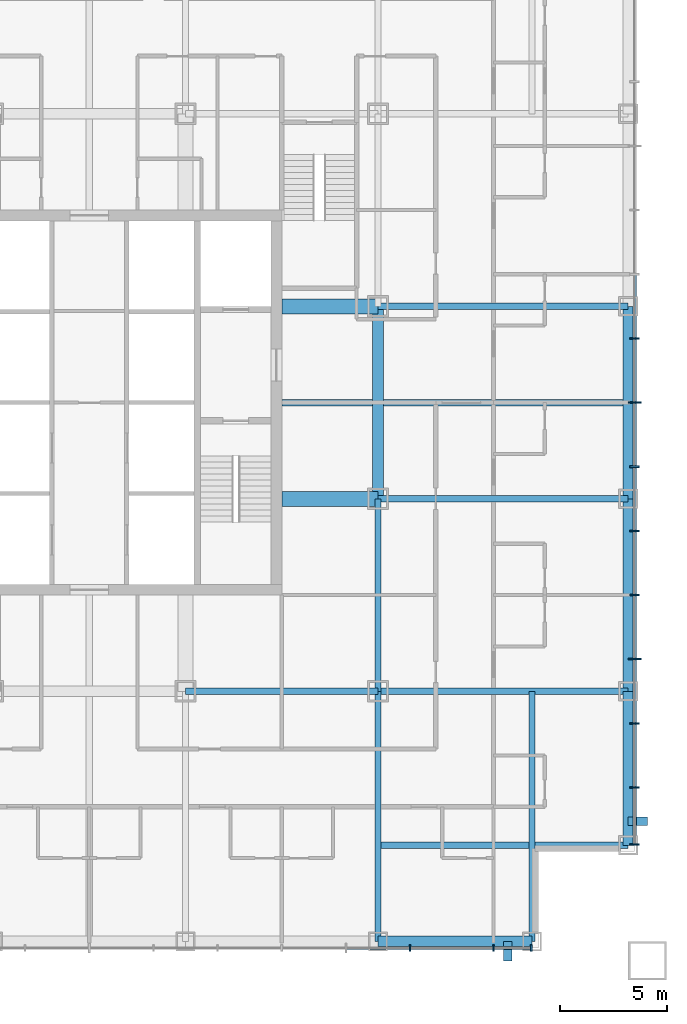
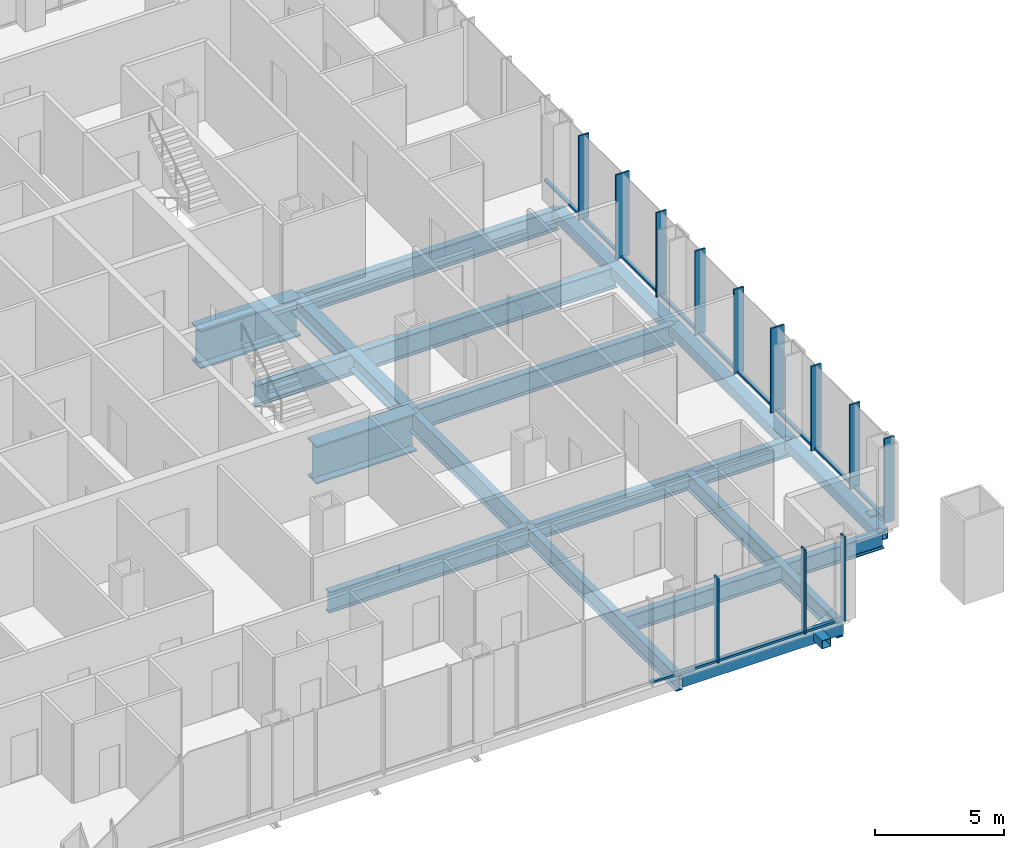
# One storey, part 3 of 12: 26 members, 16 beams, 2 elements without a shape of their own.
"""IFC4 building model written with IfcOpenShell, lengths in metres."""

from ifc_helpers import new_model, si_unit, direction, frame, origin, origin_2d, place, context, subcontext, project, spatial, rectangle, hollow_rectangle, i_section, extrude, material, layer, layer_set, material_profile, profile_set, type_object, element, aggregate, save


model = new_model("IFC4")

# Units and contexts
model_context = context("Model", 3, precision=1e-05, world=origin(), true_north=direction((0.0, 1.0)))
body_context = subcontext(model_context, "Body", "Model", "MODEL_VIEW")
ifc_project = project(units=[si_unit("LENGTHUNIT", "METRE"), si_unit("AREAUNIT", "SQUARE_METRE"), si_unit("VOLUMEUNIT", "CUBIC_METRE"), si_unit("PLANEANGLEUNIT", "RADIAN"), si_unit("MASSUNIT", "GRAM", prefix="KILO")], contexts=[model_context])

# Site, building, storey
site_placement = place(None, origin())
site = spatial("IfcSite", under=ifc_project, at=site_placement, CompositionType="ELEMENT")
building_placement = place(site_placement, origin())
building = spatial("IfcBuilding", under=site, at=building_placement, Name="Malebo Sky Hospital", CompositionType="ELEMENT")
storey_placement = place(building_placement, frame((0.0, 0.0, 59.0)))
storey = spatial("IfcBuildingStorey", under=building, at=storey_placement, Name="L13", CompositionType="ELEMENT", Elevation=59.0)

# Curtain wall, members
ifc_material_1 = material(Name="Anodised aluminium, natural silver", Category="aluminium")
ifc_layer_1 = layer(ifc_material_1, 0.25)
ifc_layer_set_1 = layer_set([ifc_layer_1], Name="WARD CURTAIN WALL NORTH AND SOUTH")
curtain_wall_type_1 = type_object("IfcCurtainWallType", Name="WARD CURTAIN WALL NORTH AND SOUTH", PredefinedType="NOTDEFINED", material=ifc_layer_set_1)
curtain_wall_1_placement = place(storey_placement, origin())
curtain_wall_1 = element("IfcCurtainWall", 1, at=curtain_wall_1_placement, inside=storey, type_object=curtain_wall_type_1, Name="NS curtain wall S", PredefinedType="NOTDEFINED")
ifc_material_profile_1 = material_profile(ifc_material_1, rectangle(XDim=0.14990234375, YDim=0.10009765625, at=origin_2d()), Name="ALUMINIUM TRANSOM 150x100")
ifc_profile_set_1 = profile_set([ifc_material_profile_1], Name="Anodised aluminium, natural silver")
member_type_1 = type_object("IfcMemberType", Name="ALUMINIUM TRANSOM 150x100", PredefinedType="USERDEFINED", material=ifc_profile_set_1)
member_1_placement = place(storey_placement, frame((80.625, 36.5, 0.050048828125), z_axis=(-1.0, 0.0, 0.0), x_axis=(0.0, -1.0, 0.0)))
member_1 = element("IfcMember", 2, at=member_1_placement, type_object=member_type_1, Name="Transom 1", ObjectType="TRANSOM", PredefinedType="USERDEFINED", context=body_context, shape_type="SweptSolid", body=[
    extrude(rectangle(XDim=0.14990234375, YDim=0.10009765625, at=origin_2d()), origin(), (0.0, 0.0, 1.0), 1.6875),
])
member_2_placement = place(storey_placement, frame((78.862548828125, 36.5, 0.050048828125), z_axis=(-1.0, 0.0, 0.0), x_axis=(0.0, -1.0, 0.0)))
member_2 = element("IfcMember", 3, at=member_2_placement, type_object=member_type_1, Name="Transom 2", ObjectType="TRANSOM", PredefinedType="USERDEFINED", context=body_context, shape_type="SweptSolid", body=[
    extrude(rectangle(XDim=0.14990234375, YDim=0.10009765625, at=origin_2d()), origin(), (0.0, 0.0, 1.0), 3.824951171875),
])
member_3_placement = place(storey_placement, frame((74.96240234375, 36.5, 0.050048828125), z_axis=(-1.0, 0.0, 0.0), x_axis=(0.0, -1.0, 0.0)))
member_3 = element("IfcMember", 4, at=member_3_placement, type_object=member_type_1, Name="Transom 3", ObjectType="TRANSOM", PredefinedType="USERDEFINED", context=body_context, shape_type="SweptSolid", body=[
    extrude(rectangle(XDim=0.14990234375, YDim=0.10009765625, at=origin_2d()), origin(), (0.0, 0.0, 1.0), 2.9248046875),
])

ifc_layer_2 = layer(ifc_material_1, 0.25)
ifc_layer_set_2 = layer_set([ifc_layer_2], Name="WARD CURTAIN WALL EAST AND WEST")
curtain_wall_type_2 = type_object("IfcCurtainWallType", Name="WARD CURTAIN WALL EAST AND WEST", PredefinedType="NOTDEFINED", material=ifc_layer_set_2)
curtain_wall_2_placement = place(storey_placement, origin())
curtain_wall_2 = element("IfcCurtainWall", 5, at=curtain_wall_2_placement, inside=storey, type_object=curtain_wall_type_2, Name="EW curtain wall E", PredefinedType="NOTDEFINED")
member_4_placement = place(storey_placement, frame((85.5, 67.96240234375, 0.050048828125), z_axis=(0.0, -1.0, 0.0), x_axis=(1.0, 0.0, 0.0)))
member_4 = element("IfcMember", 6, at=member_4_placement, type_object=member_type_1, Name="Transom 6", ObjectType="TRANSOM", PredefinedType="USERDEFINED", context=body_context, shape_type="SweptSolid", body=[
    extrude(rectangle(XDim=0.14990234375, YDim=0.10009765625, at=origin_2d()), origin(), (0.0, 0.0, 1.0), 2.9248046875),
])
member_5_placement = place(storey_placement, frame((85.5, 64.96240234375, 0.050048828125), z_axis=(0.0, -1.0, 0.0), x_axis=(1.0, 0.0, 0.0)))
member_5 = element("IfcMember", 7, at=member_5_placement, type_object=member_type_1, Name="Transom 7", ObjectType="TRANSOM", PredefinedType="USERDEFINED", context=body_context, shape_type="SweptSolid", body=[
    extrude(rectangle(XDim=0.14990234375, YDim=0.10009765625, at=origin_2d()), origin(), (0.0, 0.0, 1.0), 2.9248046875),
])
member_6_placement = place(storey_placement, frame((85.5, 61.96240234375, 0.050048828125), z_axis=(0.0, -1.0, 0.0), x_axis=(1.0, 0.0, 0.0)))
member_6 = element("IfcMember", 8, at=member_6_placement, type_object=member_type_1, Name="Transom 8", ObjectType="TRANSOM", PredefinedType="USERDEFINED", context=body_context, shape_type="SweptSolid", body=[
    extrude(rectangle(XDim=0.14990234375, YDim=0.10009765625, at=origin_2d()), origin(), (0.0, 0.0, 1.0), 2.9248046875),
])
member_7_placement = place(storey_placement, frame((85.5, 58.96240234375, 0.050048828125), z_axis=(0.0, -1.0, 0.0), x_axis=(1.0, 0.0, 0.0)))
member_7 = element("IfcMember", 9, at=member_7_placement, type_object=member_type_1, Name="Transom 9", ObjectType="TRANSOM", PredefinedType="USERDEFINED", context=body_context, shape_type="SweptSolid", body=[
    extrude(rectangle(XDim=0.14990234375, YDim=0.10009765625, at=origin_2d()), origin(), (0.0, 0.0, 1.0), 2.9248046875),
])
member_8_placement = place(storey_placement, frame((85.5, 55.96240234375, 0.050048828125), z_axis=(0.0, -1.0, 0.0), x_axis=(1.0, 0.0, 0.0)))
member_8 = element("IfcMember", 10, at=member_8_placement, type_object=member_type_1, Name="Transom 10", ObjectType="TRANSOM", PredefinedType="USERDEFINED", context=body_context, shape_type="SweptSolid", body=[
    extrude(rectangle(XDim=0.14990234375, YDim=0.10009765625, at=origin_2d()), origin(), (0.0, 0.0, 1.0), 2.9248046875),
])
member_9_placement = place(storey_placement, frame((85.5, 52.96240234375, 0.050048828125), z_axis=(0.0, -1.0, 0.0), x_axis=(1.0, 0.0, 0.0)))
member_9 = element("IfcMember", 11, at=member_9_placement, type_object=member_type_1, Name="Transom 11", ObjectType="TRANSOM", PredefinedType="USERDEFINED", context=body_context, shape_type="SweptSolid", body=[
    extrude(rectangle(XDim=0.14990234375, YDim=0.10009765625, at=origin_2d()), origin(), (0.0, 0.0, 1.0), 2.9248046875),
])
member_10_placement = place(storey_placement, frame((85.5, 49.96240234375, 0.050048828125), z_axis=(0.0, -1.0, 0.0), x_axis=(1.0, 0.0, 0.0)))
member_10 = element("IfcMember", 12, at=member_10_placement, type_object=member_type_1, Name="Transom 12", ObjectType="TRANSOM", PredefinedType="USERDEFINED", context=body_context, shape_type="SweptSolid", body=[
    extrude(rectangle(XDim=0.14990234375, YDim=0.10009765625, at=origin_2d()), origin(), (0.0, 0.0, 1.0), 2.9248046875),
])
member_11_placement = place(storey_placement, frame((85.5, 46.96240234375, 0.050048828125), z_axis=(0.0, -1.0, 0.0), x_axis=(1.0, 0.0, 0.0)))
member_11 = element("IfcMember", 13, at=member_11_placement, type_object=member_type_1, Name="Transom 13", ObjectType="TRANSOM", PredefinedType="USERDEFINED", context=body_context, shape_type="SweptSolid", body=[
    extrude(rectangle(XDim=0.14990234375, YDim=0.10009765625, at=origin_2d()), origin(), (0.0, 0.0, 1.0), 2.9248046875),
])
member_12_placement = place(storey_placement, frame((85.5, 43.96240234375, 0.050048828125), z_axis=(0.0, -1.0, 0.0), x_axis=(1.0, 0.0, 0.0)))
member_12 = element("IfcMember", 14, at=member_12_placement, type_object=member_type_1, Name="Transom 14", ObjectType="TRANSOM", PredefinedType="USERDEFINED", context=body_context, shape_type="SweptSolid", body=[
    extrude(rectangle(XDim=0.14990234375, YDim=0.10009765625, at=origin_2d()), origin(), (0.0, 0.0, 1.0), 2.58740234375),
])

# Members
ifc_material_2 = material(Name="Steel S355", Category="steel")
ifc_material_profile_2 = material_profile(ifc_material_2, hollow_rectangle(XDim=0.39990234375, YDim=0.39990234375, WallThickness=0.02001953125, at=origin_2d()), Name="SHS 400x20")
ifc_profile_set_2 = profile_set([ifc_material_profile_2], Name="Steel S355")
member_type_2 = type_object("IfcMemberType", Name="BRACE STRUT SHS 400x20", PredefinedType="STRUT", material=ifc_profile_set_2)
for number, where, z_axis, x_axis, name in (
    (15, (79.574951171875, 35.89990234375, -0.39990234375), (0.0, 1.0, 0.0), (-1.0, 0.0, 0.0), "Brace strut AS1 L13"),
    (16, (86.10009765625, 42.425048828125, -0.39990234375), (-1.0, 0.0, 0.0), (0.0, -1.0, 0.0), "Brace strut AE2 L13"),
):
    element("IfcMember", number, at=place(storey_placement, frame(where, z_axis=z_axis, x_axis=x_axis)), inside=storey, type_object=member_type_2, Name=name, PredefinedType="STRUT", context=body_context, shape_type="SweptSolid", body=[
        extrude(hollow_rectangle(XDim=0.39990234375, YDim=0.39990234375, WallThickness=0.02001953125, at=origin_2d()), origin(), (0.0, 0.0, 1.0), 0.900146484375),
    ])

# Member
ifc_material_profile_3 = material_profile(ifc_material_1, rectangle(XDim=0.074951171875, YDim=0.300048828125, at=origin_2d()), Name="CW1 ALUMINIUM FIN MULLION 75x300")
ifc_profile_set_3 = profile_set([ifc_material_profile_3], Name="Anodised aluminium, natural silver")
member_type_3 = type_object("IfcMemberType", Name="CW1 ALUMINIUM FIN MULLION 75x300", PredefinedType="MULLION", material=ifc_profile_set_3)
member_13_placement = place(storey_placement, frame((80.66259765625, 36.5, 0.0), z_axis=(0.0, 0.0, 1.0), x_axis=(-1.0, 0.0, 0.0)))
member_13 = element("IfcMember", 17, at=member_13_placement, type_object=member_type_3, Name="Fin mullion 1", PredefinedType="MULLION", context=body_context, shape_type="SweptSolid", body=[
    extrude(rectangle(XDim=0.074951171875, YDim=0.300048828125, at=origin_2d()), origin(), (0.0, 0.0, 1.0), 4.0),
])

member_14_placement = place(storey_placement, frame((78.89990234375, 36.5, 0.0), z_axis=(0.0, 0.0, 1.0), x_axis=(-1.0, 0.0, 0.0)))
member_14 = element("IfcMember", 18, at=member_14_placement, type_object=member_type_3, Name="Fin mullion 2", PredefinedType="MULLION", context=body_context, shape_type="SweptSolid", body=[
    extrude(rectangle(XDim=0.074951171875, YDim=0.300048828125, at=origin_2d()), origin(), (0.0, 0.0, 1.0), 4.0),
])

member_15_placement = place(storey_placement, frame((75.0, 36.5, 0.0), z_axis=(0.0, 0.0, 1.0), x_axis=(-1.0, 0.0, 0.0)))
member_15 = element("IfcMember", 19, at=member_15_placement, type_object=member_type_3, Name="Fin mullion 3", PredefinedType="MULLION", context=body_context, shape_type="SweptSolid", body=[
    extrude(rectangle(XDim=0.074951171875, YDim=0.300048828125, at=origin_2d()), origin(), (0.0, 0.0, 1.0), 4.0),
])

aggregate(curtain_wall_1, [member_13, member_14, member_15, member_1, member_2, member_3])

ifc_material_profile_4 = material_profile(ifc_material_1, rectangle(XDim=0.074951171875, YDim=0.449951171875, at=origin_2d()), Name="CW2 ALUMINIUM FIN MULLION 75x450")
ifc_profile_set_4 = profile_set([ifc_material_profile_4], Name="Anodised aluminium, natural silver")
member_type_4 = type_object("IfcMemberType", Name="CW2 ALUMINIUM FIN MULLION 75x450", PredefinedType="MULLION", material=ifc_profile_set_4)
member_16_placement = place(storey_placement, frame((85.5, 65.0, 0.0), z_axis=(0.0, 0.0, 1.0), x_axis=(0.0, -1.0, 0.0)))
member_16 = element("IfcMember", 20, at=member_16_placement, type_object=member_type_4, Name="Fin mullion 7", PredefinedType="MULLION", context=body_context, shape_type="SweptSolid", body=[
    extrude(rectangle(XDim=0.074951171875, YDim=0.449951171875, at=origin_2d()), origin(), (0.0, 0.0, 1.0), 4.0),
])

member_17_placement = place(storey_placement, frame((85.5, 59.0, 0.0), z_axis=(0.0, 0.0, 1.0), x_axis=(0.0, -1.0, 0.0)))
member_17 = element("IfcMember", 21, at=member_17_placement, type_object=member_type_4, Name="Fin mullion 9", PredefinedType="MULLION", context=body_context, shape_type="SweptSolid", body=[
    extrude(rectangle(XDim=0.074951171875, YDim=0.449951171875, at=origin_2d()), origin(), (0.0, 0.0, 1.0), 4.0),
])

member_18_placement = place(storey_placement, frame((85.5, 56.0, 0.0), z_axis=(0.0, 0.0, 1.0), x_axis=(0.0, -1.0, 0.0)))
member_18 = element("IfcMember", 22, at=member_18_placement, type_object=member_type_4, Name="Fin mullion 10", PredefinedType="MULLION", context=body_context, shape_type="SweptSolid", body=[
    extrude(rectangle(XDim=0.074951171875, YDim=0.449951171875, at=origin_2d()), origin(), (0.0, 0.0, 1.0), 4.0),
])

member_19_placement = place(storey_placement, frame((85.5, 53.0, 0.0), z_axis=(0.0, 0.0, 1.0), x_axis=(0.0, -1.0, 0.0)))
member_19 = element("IfcMember", 23, at=member_19_placement, type_object=member_type_4, Name="Fin mullion 11", PredefinedType="MULLION", context=body_context, shape_type="SweptSolid", body=[
    extrude(rectangle(XDim=0.074951171875, YDim=0.449951171875, at=origin_2d()), origin(), (0.0, 0.0, 1.0), 4.0),
])

member_20_placement = place(storey_placement, frame((85.5, 47.0, 0.0), z_axis=(0.0, 0.0, 1.0), x_axis=(0.0, -1.0, 0.0)))
member_20 = element("IfcMember", 24, at=member_20_placement, type_object=member_type_4, Name="Fin mullion 13", PredefinedType="MULLION", context=body_context, shape_type="SweptSolid", body=[
    extrude(rectangle(XDim=0.074951171875, YDim=0.449951171875, at=origin_2d()), origin(), (0.0, 0.0, 1.0), 4.0),
])

member_21_placement = place(storey_placement, frame((85.5, 44.0, 0.0), z_axis=(0.0, 0.0, 1.0), x_axis=(0.0, -1.0, 0.0)))
member_21 = element("IfcMember", 25, at=member_21_placement, type_object=member_type_4, Name="Fin mullion 14", PredefinedType="MULLION", context=body_context, shape_type="SweptSolid", body=[
    extrude(rectangle(XDim=0.074951171875, YDim=0.449951171875, at=origin_2d()), origin(), (0.0, 0.0, 1.0), 4.0),
])

member_22_placement = place(storey_placement, frame((85.5, 41.33740234375, 0.0), z_axis=(0.0, 0.0, 1.0), x_axis=(0.0, -1.0, 0.0)))
member_22 = element("IfcMember", 26, at=member_22_placement, type_object=member_type_4, Name="Fin mullion 15", PredefinedType="MULLION", context=body_context, shape_type="SweptSolid", body=[
    extrude(rectangle(XDim=0.074951171875, YDim=0.449951171875, at=origin_2d()), origin(), (0.0, 0.0, 1.0), 4.0),
])

ifc_material_profile_5 = material_profile(ifc_material_1, rectangle(XDim=0.074951171875, YDim=0.60009765625, at=origin_2d()), Name="CW2 ALUMINIUM FIN MULLION 75x600")
ifc_profile_set_5 = profile_set([ifc_material_profile_5], Name="Anodised aluminium, natural silver")
member_type_5 = type_object("IfcMemberType", Name="CW2 ALUMINIUM FIN MULLION 75x600", PredefinedType="MULLION", material=ifc_profile_set_5)
member_23_placement = place(storey_placement, frame((85.5, 62.0, 0.0), z_axis=(0.0, 0.0, 1.0), x_axis=(0.0, -1.0, 0.0)))
member_23 = element("IfcMember", 27, at=member_23_placement, type_object=member_type_5, Name="Fin mullion 8", PredefinedType="MULLION", context=body_context, shape_type="SweptSolid", body=[
    extrude(rectangle(XDim=0.074951171875, YDim=0.60009765625, at=origin_2d()), origin(), (0.0, 0.0, 1.0), 4.0),
])

member_24_placement = place(storey_placement, frame((85.5, 50.0, 0.0), z_axis=(0.0, 0.0, 1.0), x_axis=(0.0, -1.0, 0.0)))
member_24 = element("IfcMember", 28, at=member_24_placement, type_object=member_type_5, Name="Fin mullion 12", PredefinedType="MULLION", context=body_context, shape_type="SweptSolid", body=[
    extrude(rectangle(XDim=0.074951171875, YDim=0.60009765625, at=origin_2d()), origin(), (0.0, 0.0, 1.0), 4.0),
])

aggregate(curtain_wall_2, [member_16, member_23, member_17, member_18, member_19, member_24, member_20, member_21, member_22, member_4, member_5, member_6, member_7, member_8, member_9, member_10, member_11, member_12])

# Beams
ifc_material_3 = material(Name="Steel S460", Category="steel")
ifc_material_profile_6 = material_profile(ifc_material_3, hollow_rectangle(XDim=0.5, YDim=0.5, WallThickness=0.030029296875, at=origin_2d()), Name="BOX 500x500x30")
ifc_profile_set_6 = profile_set([ifc_material_profile_6], Name="Steel S460")
beam_type_1 = type_object("IfcBeamType", Name="EDGE BEAM BOX 500x500x30", PredefinedType="BEAM", material=ifc_profile_set_6)
beam_1_placement = place(storey_placement, frame((85.199951171875, 41.300048828125, -0.5), z_axis=(0.0, 1.0, 0.0), x_axis=(-1.0, 0.0, 0.0)))
element("IfcBeam", 29, at=beam_1_placement, inside=storey, type_object=beam_type_1, Name="Beam 029 L13", PredefinedType="BEAM", context=body_context, shape_type="SweptSolid", body=[
    extrude(hollow_rectangle(XDim=0.5, YDim=0.5, WallThickness=0.030029296875, at=origin_2d()), origin(), (0.0, 0.0, 1.0), 7.199951171875),
])
for number, where, z_axis, x_axis, name in (
    (30, (85.199951171875, 48.5, -0.5), (0.0, 1.0, 0.0), (-1.0, 0.0, 0.0), "Beam 030 L13"),
    (31, (85.199951171875, 57.5, -0.5), (0.0, 1.0, 0.0), (-1.0, 0.0, 0.0), "Beam 031 L13"),
):
    element("IfcBeam", number, at=place(storey_placement, frame(where, z_axis=z_axis, x_axis=x_axis)), inside=storey, type_object=beam_type_1, Name=name, PredefinedType="BEAM", context=body_context, shape_type="SweptSolid", body=[
        extrude(hollow_rectangle(XDim=0.5, YDim=0.5, WallThickness=0.030029296875, at=origin_2d()), origin(), (0.0, 0.0, 1.0), 9.0),
    ])
beam_2_placement = place(storey_placement, frame((73.5, 36.800048828125, -0.5), z_axis=(1.0, 0.0, 0.0), x_axis=(0.0, 1.0, 0.0)))
element("IfcBeam", 32, at=beam_2_placement, inside=storey, type_object=beam_type_1, Name="Beam 038 L13", PredefinedType="BEAM", context=body_context, shape_type="SweptSolid", body=[
    extrude(hollow_rectangle(XDim=0.5, YDim=0.5, WallThickness=0.030029296875, at=origin_2d()), origin(), (0.0, 0.0, 1.0), 7.199951171875),
])
ifc_material_profile_7 = material_profile(ifc_material_2, i_section(OverallWidth=0.300048828125, OverallDepth=1.0, WebThickness=0.01904296875, FlangeThickness=0.035888671875, FilletRadius=0.030029296875, at=origin_2d()), Name="HEB 1000")
ifc_profile_set_7 = profile_set([ifc_material_profile_7], Name="Steel S355")
beam_type_2 = type_object("IfcBeamType", Name="FLOOR BEAM HEB 1000", PredefinedType="BEAM", material=ifc_profile_set_7)
for number, where, z_axis, x_axis, name in (
    (33, (73.5, 48.5, -0.75), (0.0, 1.0, 0.0), (-1.0, 0.0, 0.0), "Beam 023 L13"),
    (34, (64.5, 48.5, -0.75), (1.0, 0.0, 0.0), (0.0, 1.0, 0.0), "Beam 044 L13"),
):
    element("IfcBeam", number, at=place(storey_placement, frame(where, z_axis=z_axis, x_axis=x_axis)), inside=storey, type_object=beam_type_2, Name=name, PredefinedType="BEAM", context=body_context, shape_type="SweptSolid", body=[
        extrude(i_section(OverallWidth=0.300048828125, OverallDepth=1.0, WebThickness=0.01904296875, FlangeThickness=0.035888671875, FilletRadius=0.030029296875, at=origin_2d()), origin(), (0.0, 0.0, 1.0), 9.0),
    ])
beam_3_placement = place(storey_placement, frame((73.5, 57.5, -0.75), z_axis=(1.0, 0.0, 0.0), x_axis=(0.0, 1.0, 0.0)))
element("IfcBeam", 35, at=beam_3_placement, inside=storey, type_object=beam_type_2, Name="Beam 049 L13", PredefinedType="BEAM", context=body_context, shape_type="SweptSolid", body=[
    extrude(i_section(OverallWidth=0.300048828125, OverallDepth=1.0, WebThickness=0.01904296875, FlangeThickness=0.035888671875, FilletRadius=0.030029296875, at=origin_2d()), origin(), (0.0, 0.0, 1.0), 11.699951171875),
])
beam_4_placement = place(storey_placement, frame((69.0, 62.0, -0.75), z_axis=(1.0, 0.0, 0.0), x_axis=(0.0, 1.0, 0.0)))
element("IfcBeam", 36, at=beam_4_placement, inside=storey, type_object=beam_type_2, Name="Beam 051 L13", PredefinedType="BEAM", context=body_context, shape_type="SweptSolid", body=[
    extrude(i_section(OverallWidth=0.300048828125, OverallDepth=1.0, WebThickness=0.01904296875, FlangeThickness=0.035888671875, FilletRadius=0.030029296875, at=origin_2d()), origin(), (0.0, 0.0, 1.0), 16.199951171875),
])
beam_5_placement = place(storey_placement, frame((73.5, 66.5, -0.75), z_axis=(1.0, 0.0, 0.0), x_axis=(0.0, 1.0, 0.0)))
element("IfcBeam", 37, at=beam_5_placement, inside=storey, type_object=beam_type_2, Name="Beam 055 L13", PredefinedType="BEAM", context=body_context, shape_type="SweptSolid", body=[
    extrude(i_section(OverallWidth=0.300048828125, OverallDepth=1.0, WebThickness=0.01904296875, FlangeThickness=0.035888671875, FilletRadius=0.030029296875, at=origin_2d()), origin(), (0.0, 0.0, 1.0), 11.699951171875),
])
ifc_material_profile_8 = material_profile(ifc_material_2, i_section(OverallWidth=0.300048828125, OverallDepth=0.800048828125, WebThickness=0.017578125, FlangeThickness=0.032958984375, FilletRadius=0.030029296875, at=origin_2d()), Name="HEB 800")
ifc_profile_set_8 = profile_set([ifc_material_profile_8], Name="Steel S355")
beam_type_3 = type_object("IfcBeamType", Name="FLOOR BEAM HEB 800", PredefinedType="BEAM", material=ifc_profile_set_8)
for number, where, z_axis, x_axis, name in (
    (38, (80.699951171875, 36.800048828125, -0.64990234375), (0.0, 1.0, 0.0), (-1.0, 0.0, 0.0), "Beam 027 L13"),
    (39, (73.5, 41.300048828125, -0.64990234375), (1.0, 0.0, 0.0), (0.0, 1.0, 0.0), "Beam 040 L13"),
):
    element("IfcBeam", number, at=place(storey_placement, frame(where, z_axis=z_axis, x_axis=x_axis)), inside=storey, type_object=beam_type_3, Name=name, PredefinedType="BEAM", context=body_context, shape_type="SweptSolid", body=[
        extrude(i_section(OverallWidth=0.300048828125, OverallDepth=0.800048828125, WebThickness=0.017578125, FlangeThickness=0.032958984375, FilletRadius=0.030029296875, at=origin_2d()), origin(), (0.0, 0.0, 1.0), 11.699951171875),
    ])
ifc_material_profile_9 = material_profile(ifc_material_2, i_section(OverallWidth=0.699951171875, OverallDepth=1.800048828125, WebThickness=0.034912109375, FlangeThickness=0.070068359375, at=origin_2d()), Name="PG 1800x700x35x70")
ifc_profile_set_9 = profile_set([ifc_material_profile_9], Name="Steel S355")
beam_type_4 = type_object("IfcBeamType", Name="FLOOR BEAM PG 1800x700x35x70", PredefinedType="BEAM", material=ifc_profile_set_9)
for number, where, z_axis, x_axis, name in (
    (40, (69.0, 57.5, -1.14990234375), (1.0, 0.0, 0.0), (0.0, 1.0, 0.0), "Beam 048 L13"),
    (41, (69.0, 66.5, -1.14990234375), (1.0, 0.0, 0.0), (0.0, 1.0, 0.0), "Beam 054 L13"),
):
    element("IfcBeam", number, at=place(storey_placement, frame(where, z_axis=z_axis, x_axis=x_axis)), inside=storey, type_object=beam_type_4, Name=name, PredefinedType="BEAM", context=body_context, shape_type="SweptSolid", body=[
        extrude(i_section(OverallWidth=0.699951171875, OverallDepth=1.800048828125, WebThickness=0.034912109375, FlangeThickness=0.070068359375, at=origin_2d()), origin(), (0.0, 0.0, 1.0), 4.5),
    ])
ifc_material_profile_10 = material_profile(ifc_material_2, i_section(OverallWidth=0.300048828125, OverallDepth=0.800048828125, WebThickness=0.017578125, FlangeThickness=0.032958984375, FilletRadius=0.030029296875, at=origin_2d()), Name="HEB 800")
ifc_profile_set_10 = profile_set([ifc_material_profile_10], Name="Steel S355")
beam_type_5 = type_object("IfcBeamType", Name="FLOOR GIRDER HEB 800", PredefinedType="BEAM", material=ifc_profile_set_10)
for number, where, z_axis, x_axis, name in (
    (42, (73.5, 36.800048828125, -0.64990234375), (0.0, 1.0, 0.0), (-1.0, 0.0, 0.0), "Beam 022 L13"),
    (43, (73.5, 48.5, -0.64990234375), (1.0, 0.0, 0.0), (0.0, 1.0, 0.0), "Beam 045 L13"),
):
    element("IfcBeam", number, at=place(storey_placement, frame(where, z_axis=z_axis, x_axis=x_axis)), inside=storey, type_object=beam_type_5, Name=name, PredefinedType="BEAM", context=body_context, shape_type="SweptSolid", body=[
        extrude(i_section(OverallWidth=0.300048828125, OverallDepth=0.800048828125, WebThickness=0.017578125, FlangeThickness=0.032958984375, FilletRadius=0.030029296875, at=origin_2d()), origin(), (0.0, 0.0, 1.0), 11.699951171875),
    ])
ifc_material_profile_11 = material_profile(ifc_material_2, i_section(OverallWidth=0.5, OverallDepth=0.800048828125, WebThickness=0.030029296875, FlangeThickness=0.050048828125, at=origin_2d()), Name="PG 800x500x30x50")
ifc_profile_set_11 = profile_set([ifc_material_profile_11], Name="Steel S355")
beam_type_6 = type_object("IfcBeamType", Name="RING GIRDER PG 800x500x30x50", PredefinedType="BEAM", material=ifc_profile_set_11)
beam_6_placement = place(storey_placement, frame((73.5, 57.5, -0.64990234375), z_axis=(0.0, 1.0, 0.0), x_axis=(-1.0, 0.0, 0.0)))
element("IfcBeam", 44, at=beam_6_placement, inside=storey, type_object=beam_type_6, Name="Beam 024 L13", PredefinedType="BEAM", context=body_context, shape_type="SweptSolid", body=[
    extrude(i_section(OverallWidth=0.5, OverallDepth=0.800048828125, WebThickness=0.030029296875, FlangeThickness=0.050048828125, at=origin_2d()), origin(), (0.0, 0.0, 1.0), 9.0),
])

save(model, "model.ifc")
